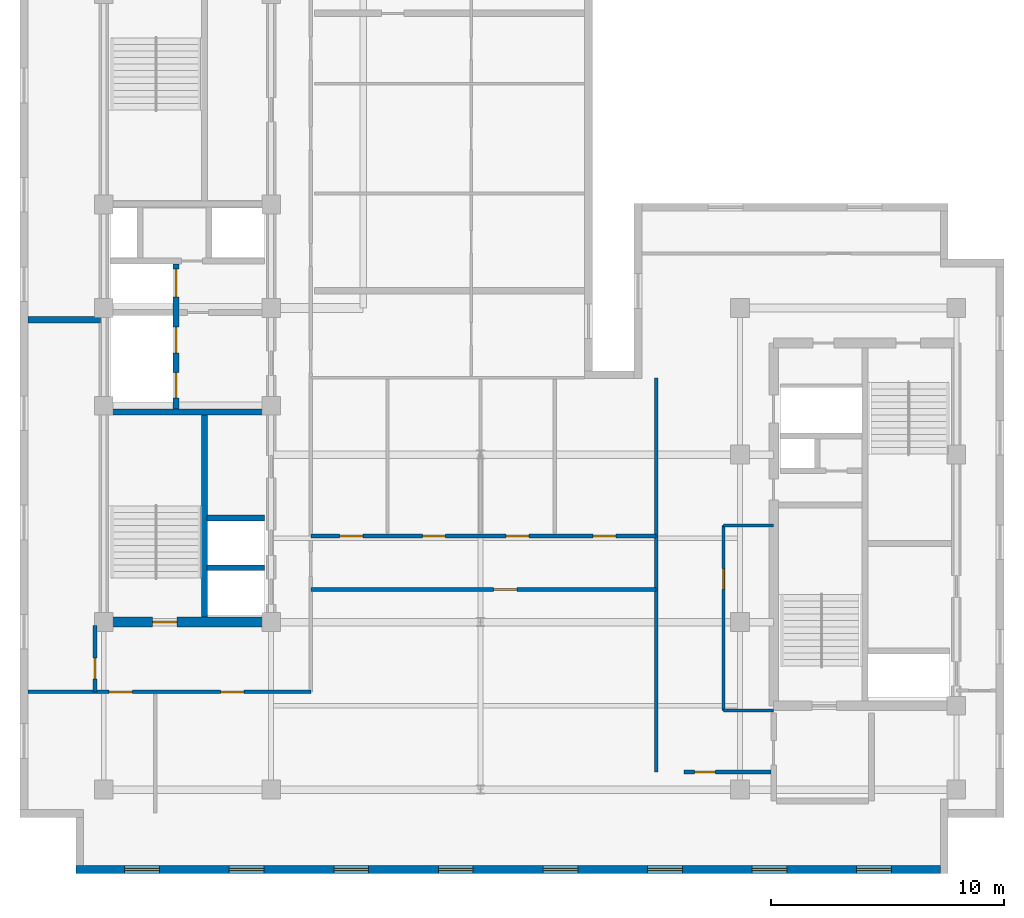
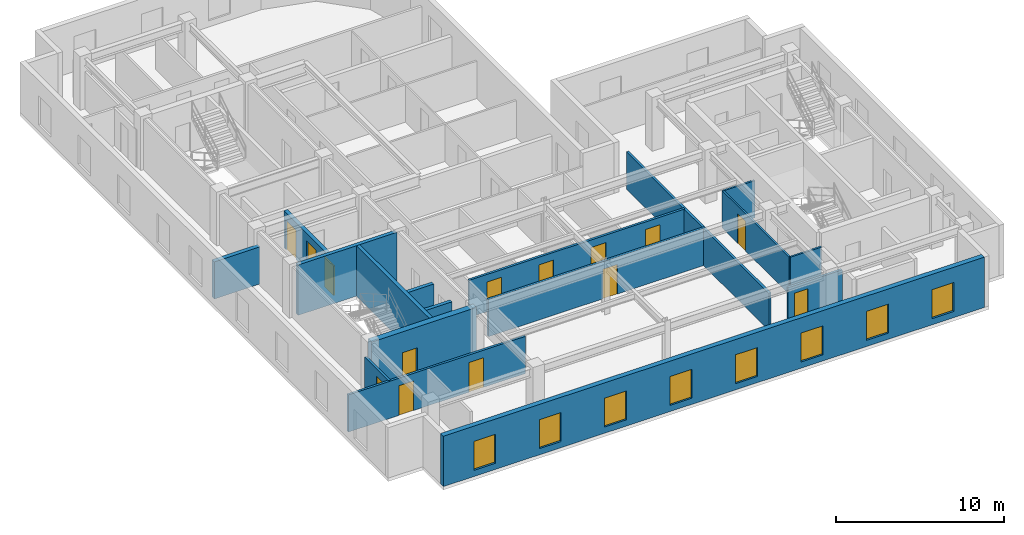
# One storey, part 3 of 10: 17 walls, 14 doors, 8 windows, 22 openings.
"""IFC4 building model written with IfcOpenShell, lengths in metres."""

from ifc_helpers import new_model, entity, si_unit, converted_unit, direction, frame, origin_with_axes, origin_2d_with_axis, place, context, subcontext, project, spatial, polyline, rectangle, outline, extrude, material, layer, layer_set, type_object, element, fill, save


model = new_model("IFC4")

# Units and contexts
model_context = context("Model", 3, precision=1e-05, world=origin_with_axes(), true_north=direction((0.0, 1.0)))
body_context = subcontext(model_context, "Body", "Model", "MODEL_VIEW")
ifc_project = project(units=[si_unit("LENGTHUNIT", "METRE"), si_unit("AREAUNIT", "SQUARE_METRE"), si_unit("VOLUMEUNIT", "CUBIC_METRE"), converted_unit("PLANEANGLEUNIT", "DEGREE", entity("IfcPlaneAngleMeasure", 0.017453292519943295), si_unit("PLANEANGLEUNIT", "RADIAN"), dimensions=[0, 0, 0, 0, 0, 0, 0]), si_unit("MASSUNIT", "GRAM", prefix="KILO"), si_unit("THERMODYNAMICTEMPERATUREUNIT", "KELVIN")], contexts=[model_context])

# Site, building, storey
site_placement = place(None, origin_with_axes())
site = spatial("IfcSite", under=ifc_project, at=site_placement, CompositionType="ELEMENT")
building_placement = place(site_placement, origin_with_axes())
building = spatial("IfcBuilding", under=site, at=building_placement, Name="Varnlund Millrace Tower", CompositionType="ELEMENT")
storey_placement = place(building_placement, frame((0.0, 0.0, 264.6), z_axis=(0.0, 0.0, 1.0), x_axis=(1.0, 0.0, 0.0)))
storey = spatial("IfcBuildingStorey", under=building, at=storey_placement, Name="L65", CompositionType="ELEMENT", Elevation=264.6)

# Wall, opening, door
ifc_material_1 = material(Name="Concrete C60/75", Category="concrete")
ifc_layer_1 = layer(ifc_material_1, 0.42, Name="Concrete C60/75")
ifc_layer_set_1 = layer_set([ifc_layer_1], Name="Concrete C60/75")
wall_type_1 = type_object("IfcWallType", Name="Type-CoreWall-Shear-420-C60", PredefinedType="SHEAR", material=ifc_layer_set_1)
wall_1_placement = place(storey_placement, frame((11.4, 10.8, 0.0), z_axis=(0.0, 0.0, 1.0), x_axis=(1.0, 0.0, 0.0)))
wall_1 = element("IfcWall", 1, at=wall_1_placement, inside=storey, type_object=wall_type_1, Name="Type-CoreWall-Shear-420-C60", PredefinedType="SHEAR", context=body_context, shape_type="SweptSolid", body=[
    extrude(outline(polyline([(0.0, -0.21), (7.2, -0.21), (7.2, 0.21), (0.0, 0.21), (0.0, -0.21)])), origin_with_axes(), (0.0, 0.0, 1.0), 3.66),
])
opening_1_placement = place(wall_1_placement, frame((2.625, 0.0, 0.0), z_axis=(0.0, 0.0, 1.0), x_axis=(1.0, 0.0, 0.0)))
opening_1 = element("IfcOpeningElement", 2, at=opening_1_placement, cuts=wall_1, Name="Opening L65:DR-STA1", PredefinedType="OPENING", context=body_context, shape_type="SweptSolid", body=[
    extrude(rectangle(XDim=1.05, YDim=0.44, at=origin_2d_with_axis()), origin_with_axes(), (0.0, 0.0, 1.0), 2.15),
])
ifc_material_2 = material(Name="Fire-rated hollow steel door", Category="steel")
door_type_1 = type_object("IfcDoorType", Name="Type-FireDoor-Stair-1050X2150", OperationType="NOTDEFINED", PredefinedType="DOOR", material=ifc_material_2)
door_1_placement = place(wall_1_placement, frame((2.625, 0.0, 0.0), z_axis=(0.0, 0.0, 1.0), x_axis=(1.0, 0.0, 0.0)))
door_1 = element("IfcDoor", 3, at=door_1_placement, inside=storey, type_object=door_type_1, Name="Type-FireDoor-Stair-1050X2150", OperationType="SINGLE_SWING_LEFT", OverallHeight=2.15, OverallWidth=1.05, PredefinedType="DOOR", context=body_context, shape_type="SweptSolid", body=[
    extrude(rectangle(XDim=1.05, YDim=0.09, at=origin_2d_with_axis()), origin_with_axes(), (0.0, 0.0, 1.0), 2.15),
])
fill(opening_1, door_1)

# Wall, openings, windows
ifc_material_3 = material(Name="Precast concrete C50/60", Category="concrete")
ifc_layer_2 = layer(ifc_material_3, 0.34, Name="Precast concrete C50/60")
ifc_layer_set_2 = layer_set([ifc_layer_2], Name="Precast concrete C50/60")
wall_type_2 = type_object("IfcWallType", Name="Type-ExtWall-Precast-Upper-340", PredefinedType="SOLIDWALL", material=ifc_layer_set_2)
wall_2_placement = place(storey_placement, frame((47.36, 0.17, 0.0), z_axis=(0.0, 0.0, 1.0), x_axis=(-1.0, 0.0, 0.0)))
wall_2 = element("IfcWall", 4, at=wall_2_placement, inside=storey, type_object=wall_type_2, Name="Type-ExtWall-Precast-Upper-340", PredefinedType="SOLIDWALL", context=body_context, shape_type="SweptSolid", body=[
    extrude(outline(polyline([(0.0, -0.17), (37.16, -0.17), (37.16, 0.17), (0.0, 0.17), (0.0, -0.17)])), origin_with_axes(), (0.0, 0.0, 1.0), 3.66),
])
opening_2_placement = place(wall_2_placement, frame((2.847, 0.0, 0.45), z_axis=(0.0, 0.0, 1.0), x_axis=(1.0, 0.0, 0.0)))
opening_2 = element("IfcOpeningElement", 5, at=opening_2_placement, cuts=wall_2, Name="Opening L65:WN-09", PredefinedType="OPENING", context=body_context, shape_type="SweptSolid", body=[
    extrude(rectangle(XDim=1.5, YDim=0.36, at=origin_2d_with_axis()), origin_with_axes(), (0.0, 0.0, 1.0), 2.1),
])
opening_3_placement = place(wall_2_placement, frame((7.342, 0.0, 0.45), z_axis=(0.0, 0.0, 1.0), x_axis=(1.0, 0.0, 0.0)))
opening_3 = element("IfcOpeningElement", 6, at=opening_3_placement, cuts=wall_2, Name="Opening L65:WN-10", PredefinedType="OPENING", context=body_context, shape_type="SweptSolid", body=[
    extrude(rectangle(XDim=1.5, YDim=0.36, at=origin_2d_with_axis()), origin_with_axes(), (0.0, 0.0, 1.0), 2.1),
])
opening_4_placement = place(wall_2_placement, frame((11.837, 0.0, 0.45), z_axis=(0.0, 0.0, 1.0), x_axis=(1.0, 0.0, 0.0)))
opening_4 = element("IfcOpeningElement", 7, at=opening_4_placement, cuts=wall_2, Name="Opening L65:WN-11", PredefinedType="OPENING", context=body_context, shape_type="SweptSolid", body=[
    extrude(rectangle(XDim=1.5, YDim=0.36, at=origin_2d_with_axis()), origin_with_axes(), (0.0, 0.0, 1.0), 2.1),
])
opening_5_placement = place(wall_2_placement, frame((16.332, 0.0, 0.45), z_axis=(0.0, 0.0, 1.0), x_axis=(1.0, 0.0, 0.0)))
opening_5 = element("IfcOpeningElement", 8, at=opening_5_placement, cuts=wall_2, Name="Opening L65:WN-12", PredefinedType="OPENING", context=body_context, shape_type="SweptSolid", body=[
    extrude(rectangle(XDim=1.5, YDim=0.36, at=origin_2d_with_axis()), origin_with_axes(), (0.0, 0.0, 1.0), 2.1),
])
opening_6_placement = place(wall_2_placement, frame((20.827, 0.0, 0.45), z_axis=(0.0, 0.0, 1.0), x_axis=(1.0, 0.0, 0.0)))
opening_6 = element("IfcOpeningElement", 9, at=opening_6_placement, cuts=wall_2, Name="Opening L65:WN-13", PredefinedType="OPENING", context=body_context, shape_type="SweptSolid", body=[
    extrude(rectangle(XDim=1.5, YDim=0.36, at=origin_2d_with_axis()), origin_with_axes(), (0.0, 0.0, 1.0), 2.1),
])
opening_7_placement = place(wall_2_placement, frame((25.322, 0.0, 0.45), z_axis=(0.0, 0.0, 1.0), x_axis=(1.0, 0.0, 0.0)))
opening_7 = element("IfcOpeningElement", 10, at=opening_7_placement, cuts=wall_2, Name="Opening L65:WN-14", PredefinedType="OPENING", context=body_context, shape_type="SweptSolid", body=[
    extrude(rectangle(XDim=1.5, YDim=0.36, at=origin_2d_with_axis()), origin_with_axes(), (0.0, 0.0, 1.0), 2.1),
])
opening_8_placement = place(wall_2_placement, frame((29.817, 0.0, 0.45), z_axis=(0.0, 0.0, 1.0), x_axis=(1.0, 0.0, 0.0)))
opening_8 = element("IfcOpeningElement", 11, at=opening_8_placement, cuts=wall_2, Name="Opening L65:WN-15", PredefinedType="OPENING", context=body_context, shape_type="SweptSolid", body=[
    extrude(rectangle(XDim=1.5, YDim=0.36, at=origin_2d_with_axis()), origin_with_axes(), (0.0, 0.0, 1.0), 2.1),
])
opening_9_placement = place(wall_2_placement, frame((34.312, 0.0, 0.45), z_axis=(0.0, 0.0, 1.0), x_axis=(1.0, 0.0, 0.0)))
opening_9 = element("IfcOpeningElement", 12, at=opening_9_placement, cuts=wall_2, Name="Opening L65:WN-16", PredefinedType="OPENING", context=body_context, shape_type="SweptSolid", body=[
    extrude(rectangle(XDim=1.5, YDim=0.36, at=origin_2d_with_axis()), origin_with_axes(), (0.0, 0.0, 1.0), 2.1),
])
ifc_material_4 = material(Name="Argon low-e triple glazing in thermally broken bronze frame", Category="glass")
window_type = type_object("IfcWindowType", Name="Type-Window-Punched-1500X2100", PartitioningType="SINGLE_PANEL", PredefinedType="WINDOW", material=ifc_material_4)
window_1_placement = place(wall_2_placement, frame((2.847, 0.0, 0.45), z_axis=(0.0, 0.0, 1.0), x_axis=(1.0, 0.0, 0.0)))
window_1 = element("IfcWindow", 13, at=window_1_placement, inside=storey, type_object=window_type, Name="Type-Window-Punched-1500X2100", OverallHeight=2.1, OverallWidth=1.5, PredefinedType="WINDOW", context=body_context, shape_type="SweptSolid", body=[
    extrude(rectangle(XDim=1.5, YDim=0.09, at=origin_2d_with_axis()), origin_with_axes(), (0.0, 0.0, 1.0), 2.1),
])
fill(opening_2, window_1)
window_2_placement = place(wall_2_placement, frame((7.342, 0.0, 0.45), z_axis=(0.0, 0.0, 1.0), x_axis=(1.0, 0.0, 0.0)))
window_2 = element("IfcWindow", 14, at=window_2_placement, inside=storey, type_object=window_type, Name="Type-Window-Punched-1500X2100", OverallHeight=2.1, OverallWidth=1.5, PredefinedType="WINDOW", context=body_context, shape_type="SweptSolid", body=[
    extrude(rectangle(XDim=1.5, YDim=0.09, at=origin_2d_with_axis()), origin_with_axes(), (0.0, 0.0, 1.0), 2.1),
])
fill(opening_3, window_2)
window_3_placement = place(wall_2_placement, frame((11.837, 0.0, 0.45), z_axis=(0.0, 0.0, 1.0), x_axis=(1.0, 0.0, 0.0)))
window_3 = element("IfcWindow", 15, at=window_3_placement, inside=storey, type_object=window_type, Name="Type-Window-Punched-1500X2100", OverallHeight=2.1, OverallWidth=1.5, PredefinedType="WINDOW", context=body_context, shape_type="SweptSolid", body=[
    extrude(rectangle(XDim=1.5, YDim=0.09, at=origin_2d_with_axis()), origin_with_axes(), (0.0, 0.0, 1.0), 2.1),
])
fill(opening_4, window_3)
window_4_placement = place(wall_2_placement, frame((16.332, 0.0, 0.45), z_axis=(0.0, 0.0, 1.0), x_axis=(1.0, 0.0, 0.0)))
window_4 = element("IfcWindow", 16, at=window_4_placement, inside=storey, type_object=window_type, Name="Type-Window-Punched-1500X2100", OverallHeight=2.1, OverallWidth=1.5, PredefinedType="WINDOW", context=body_context, shape_type="SweptSolid", body=[
    extrude(rectangle(XDim=1.5, YDim=0.09, at=origin_2d_with_axis()), origin_with_axes(), (0.0, 0.0, 1.0), 2.1),
])
fill(opening_5, window_4)
window_5_placement = place(wall_2_placement, frame((20.827, 0.0, 0.45), z_axis=(0.0, 0.0, 1.0), x_axis=(1.0, 0.0, 0.0)))
window_5 = element("IfcWindow", 17, at=window_5_placement, inside=storey, type_object=window_type, Name="Type-Window-Punched-1500X2100", OverallHeight=2.1, OverallWidth=1.5, PredefinedType="WINDOW", context=body_context, shape_type="SweptSolid", body=[
    extrude(rectangle(XDim=1.5, YDim=0.09, at=origin_2d_with_axis()), origin_with_axes(), (0.0, 0.0, 1.0), 2.1),
])
fill(opening_6, window_5)
window_6_placement = place(wall_2_placement, frame((25.322, 0.0, 0.45), z_axis=(0.0, 0.0, 1.0), x_axis=(1.0, 0.0, 0.0)))
window_6 = element("IfcWindow", 18, at=window_6_placement, inside=storey, type_object=window_type, Name="Type-Window-Punched-1500X2100", OverallHeight=2.1, OverallWidth=1.5, PredefinedType="WINDOW", context=body_context, shape_type="SweptSolid", body=[
    extrude(rectangle(XDim=1.5, YDim=0.09, at=origin_2d_with_axis()), origin_with_axes(), (0.0, 0.0, 1.0), 2.1),
])
fill(opening_7, window_6)
window_7_placement = place(wall_2_placement, frame((29.817, 0.0, 0.45), z_axis=(0.0, 0.0, 1.0), x_axis=(1.0, 0.0, 0.0)))
window_7 = element("IfcWindow", 19, at=window_7_placement, inside=storey, type_object=window_type, Name="Type-Window-Punched-1500X2100", OverallHeight=2.1, OverallWidth=1.5, PredefinedType="WINDOW", context=body_context, shape_type="SweptSolid", body=[
    extrude(rectangle(XDim=1.5, YDim=0.09, at=origin_2d_with_axis()), origin_with_axes(), (0.0, 0.0, 1.0), 2.1),
])
fill(opening_8, window_7)
window_8_placement = place(wall_2_placement, frame((34.312, 0.0, 0.45), z_axis=(0.0, 0.0, 1.0), x_axis=(1.0, 0.0, 0.0)))
window_8 = element("IfcWindow", 20, at=window_8_placement, inside=storey, type_object=window_type, Name="Type-Window-Punched-1500X2100", OverallHeight=2.1, OverallWidth=1.5, PredefinedType="WINDOW", context=body_context, shape_type="SweptSolid", body=[
    extrude(rectangle(XDim=1.5, YDim=0.09, at=origin_2d_with_axis()), origin_with_axes(), (0.0, 0.0, 1.0), 2.1),
])
fill(opening_9, window_8)

# Wall
ifc_material_5 = material(Name="Double-stud STC-60 conference acoustic partition", Category="gypsum")
ifc_layer_3 = layer(ifc_material_5, 0.28, Name="Double-stud STC-60 conference acoustic partition")
ifc_layer_set_3 = layer_set([ifc_layer_3], Name="Double-stud STC-60 conference acoustic partition")
wall_type_3 = type_object("IfcWallType", Name="Type-Partition-Acoustic-280", PredefinedType="PARTITIONING", material=ifc_layer_set_3)
wall_3_placement = place(storey_placement, frame((8.135, 23.8, 0.0), z_axis=(0.0, 0.0, 1.0), x_axis=(1.0, 0.0, 0.0)))
element("IfcWall", 21, at=wall_3_placement, inside=storey, type_object=wall_type_3, Name="Type-Partition-Acoustic-280", PredefinedType="PARTITIONING", context=body_context, shape_type="SweptSolid", body=[
    extrude(outline(polyline([(0.0, -0.14), (3.135, -0.14), (3.135, 0.14), (0.0, 0.14), (0.0, -0.14)])), origin_with_axes(), (0.0, 0.0, 1.0), 2.7),
])

# Wall, openings, doors
ifc_material_6 = material(Name="Fire-rated gypsum board on cold-formed steel framing", Category="steel")
ifc_layer_4 = layer(ifc_material_6, 0.16, Name="Fire-rated gypsum board on cold-formed steel framing")
ifc_layer_set_4 = layer_set([ifc_layer_4], Name="Fire-rated gypsum board on cold-formed steel framing")
wall_type_4 = type_object("IfcWallType", Name="Type-Partition-Corridor-160", PredefinedType="PARTITIONING", material=ifc_layer_set_4)
wall_4_placement = place(storey_placement, frame((8.135, 7.8, 0.0), z_axis=(0.0, 0.0, 1.0), x_axis=(1.0, 0.0, 0.0)))
wall_4 = element("IfcWall", 22, at=wall_4_placement, inside=storey, type_object=wall_type_4, Name="Type-Partition-Corridor-160", PredefinedType="PARTITIONING", context=body_context, shape_type="SweptSolid", body=[
    extrude(outline(polyline([(0.0, -0.08), (12.165, -0.08), (12.165, 0.08), (0.0, 0.08), (0.0, -0.08)])), origin_with_axes(), (0.0, 0.0, 1.0), 2.7),
])
opening_10_placement = place(wall_4_placement, frame((3.994, 0.0, 0.0), z_axis=(0.0, 0.0, 1.0), x_axis=(1.0, 0.0, 0.0)))
opening_10 = element("IfcOpeningElement", 23, at=opening_10_placement, cuts=wall_4, Name="Opening L65:DR-WAS-01", PredefinedType="OPENING", context=body_context, shape_type="SweptSolid", body=[
    extrude(rectangle(XDim=1.0, YDim=0.18, at=origin_2d_with_axis()), origin_with_axes(), (0.0, 0.0, 1.0), 2.15),
])
opening_11_placement = place(wall_4_placement, frame((8.794, 0.0, 0.0), z_axis=(0.0, 0.0, 1.0), x_axis=(1.0, 0.0, 0.0)))
opening_11 = element("IfcOpeningElement", 24, at=opening_11_placement, cuts=wall_4, Name="Opening L65:DR-WAS-02", PredefinedType="OPENING", context=body_context, shape_type="SweptSolid", body=[
    extrude(rectangle(XDim=1.0, YDim=0.18, at=origin_2d_with_axis()), origin_with_axes(), (0.0, 0.0, 1.0), 2.15),
])
ifc_material_7 = material(Name="Solid-core white oak and bronze frame door")
door_type_2 = type_object("IfcDoorType", Name="Type-IntDoor-Office-1000X2150", OperationType="NOTDEFINED", PredefinedType="DOOR", material=ifc_material_7)
door_2_placement = place(wall_4_placement, frame((3.994, 0.0, 0.0), z_axis=(0.0, 0.0, 1.0), x_axis=(1.0, 0.0, 0.0)))
door_2 = element("IfcDoor", 25, at=door_2_placement, inside=storey, type_object=door_type_2, Name="Type-IntDoor-Office-1000X2150", OperationType="SINGLE_SWING_LEFT", OverallHeight=2.15, OverallWidth=1.0, PredefinedType="DOOR", context=body_context, shape_type="SweptSolid", body=[
    extrude(rectangle(XDim=1.0, YDim=0.09, at=origin_2d_with_axis()), origin_with_axes(), (0.0, 0.0, 1.0), 2.15),
])
fill(opening_10, door_2)
door_3_placement = place(wall_4_placement, frame((8.794, 0.0, 0.0), z_axis=(0.0, 0.0, 1.0), x_axis=(1.0, 0.0, 0.0)))
door_3 = element("IfcDoor", 26, at=door_3_placement, inside=storey, type_object=door_type_2, Name="Type-IntDoor-Office-1000X2150", OperationType="SINGLE_SWING_RIGHT", OverallHeight=2.15, OverallWidth=1.0, PredefinedType="DOOR", context=body_context, shape_type="SweptSolid", body=[
    extrude(rectangle(XDim=1.0, YDim=0.09, at=origin_2d_with_axis()), origin_with_axes(), (0.0, 0.0, 1.0), 2.15),
])
fill(opening_11, door_3)

# Wall, opening, door
wall_5_placement = place(storey_placement, frame((11.02, 7.8, 0.0), z_axis=(0.0, 0.0, 1.0), x_axis=(0.0, 1.0, 0.0)))
wall_5 = element("IfcWall", 27, at=wall_5_placement, inside=storey, type_object=wall_type_4, Name="Type-Partition-Corridor-160", PredefinedType="PARTITIONING", context=body_context, shape_type="SweptSolid", body=[
    extrude(outline(polyline([(0.0, -0.08), (2.85, -0.08), (2.85, 0.08), (0.0, 0.08), (0.0, -0.08)])), origin_with_axes(), (0.0, 0.0, 1.0), 2.7),
])
opening_12_placement = place(wall_5_placement, frame((1.0, 0.0, 0.0), z_axis=(0.0, 0.0, 1.0), x_axis=(1.0, 0.0, 0.0)))
opening_12 = element("IfcOpeningElement", 28, at=opening_12_placement, cuts=wall_5, Name="Opening L65:DR-WU-S1", PredefinedType="OPENING", context=body_context, shape_type="SweptSolid", body=[
    extrude(rectangle(XDim=0.9, YDim=0.18, at=origin_2d_with_axis()), origin_with_axes(), (0.0, 0.0, 1.0), 2.15),
])
ifc_material_8 = material(Name="Painted steel riser and closet door", Category="steel")
door_type_3 = type_object("IfcDoorType", Name="Type-IntDoor-Closet-900X2150", OperationType="NOTDEFINED", PredefinedType="DOOR", material=ifc_material_8)
door_4_placement = place(wall_5_placement, frame((1.0, 0.0, 0.0), z_axis=(0.0, 0.0, 1.0), x_axis=(1.0, 0.0, 0.0)))
door_4 = element("IfcDoor", 29, at=door_4_placement, inside=storey, type_object=door_type_3, Name="Type-IntDoor-Closet-900X2150", OperationType="SINGLE_SWING_LEFT", OverallHeight=2.15, OverallWidth=0.9, PredefinedType="DOOR", context=body_context, shape_type="SweptSolid", body=[
    extrude(rectangle(XDim=0.9, YDim=0.09, at=origin_2d_with_axis()), origin_with_axes(), (0.0, 0.0, 1.0), 2.15),
])
fill(opening_12, door_4)

wall_6_placement = place(storey_placement, frame((20.3, 12.2, 0.0), z_axis=(0.0, 0.0, 1.0), x_axis=(1.0, 0.0, 0.0)))
wall_6 = element("IfcWall", 30, at=wall_6_placement, inside=storey, type_object=wall_type_4, Name="Type-Partition-Corridor-160", PredefinedType="PARTITIONING", context=body_context, shape_type="SweptSolid", body=[
    extrude(outline(polyline([(0.0, -0.08), (14.85, -0.08), (14.85, 0.08), (0.0, 0.08), (0.0, -0.08)])), origin_with_axes(), (0.0, 0.0, 1.0), 2.7),
])
opening_13_placement = place(wall_6_placement, frame((8.355, 0.0, 0.0), z_axis=(0.0, 0.0, 1.0), x_axis=(1.0, 0.0, 0.0)))
opening_13 = element("IfcOpeningElement", 31, at=opening_13_placement, cuts=wall_6, Name="Opening L65:DR-KNS-01", PredefinedType="OPENING", context=body_context, shape_type="SweptSolid", body=[
    extrude(rectangle(XDim=1.0, YDim=0.18, at=origin_2d_with_axis()), origin_with_axes(), (0.0, 0.0, 1.0), 2.15),
])
door_5_placement = place(wall_6_placement, frame((8.355, 0.0, 0.0), z_axis=(0.0, 0.0, 1.0), x_axis=(1.0, 0.0, 0.0)))
door_5 = element("IfcDoor", 32, at=door_5_placement, inside=storey, type_object=door_type_2, Name="Type-IntDoor-Office-1000X2150", OperationType="SINGLE_SWING_LEFT", OverallHeight=2.15, OverallWidth=1.0, PredefinedType="DOOR", context=body_context, shape_type="SweptSolid", body=[
    extrude(rectangle(XDim=1.0, YDim=0.09, at=origin_2d_with_axis()), origin_with_axes(), (0.0, 0.0, 1.0), 2.15),
])
fill(opening_13, door_5)

# Wall, openings, doors
wall_7_placement = place(storey_placement, frame((20.3, 14.5, 0.0), z_axis=(0.0, 0.0, 1.0), x_axis=(1.0, 0.0, 0.0)))
wall_7 = element("IfcWall", 33, at=wall_7_placement, inside=storey, type_object=wall_type_4, Name="Type-Partition-Corridor-160", PredefinedType="PARTITIONING", context=body_context, shape_type="SweptSolid", body=[
    extrude(outline(polyline([(0.0, -0.08), (14.85, -0.08), (14.85, 0.08), (0.0, 0.08), (0.0, -0.08)])), origin_with_axes(), (0.0, 0.0, 1.0), 2.7),
])
opening_14_placement = place(wall_7_placement, frame((1.739, 0.0, 0.0), z_axis=(0.0, 0.0, 1.0), x_axis=(1.0, 0.0, 0.0)))
opening_14 = element("IfcOpeningElement", 34, at=opening_14_placement, cuts=wall_7, Name="Opening L65:DR-KN-01", PredefinedType="OPENING", context=body_context, shape_type="SweptSolid", body=[
    extrude(rectangle(XDim=1.0, YDim=0.18, at=origin_2d_with_axis()), origin_with_axes(), (0.0, 0.0, 1.0), 2.15),
])
opening_15_placement = place(wall_7_placement, frame((5.299, 0.0, 0.0), z_axis=(0.0, 0.0, 1.0), x_axis=(1.0, 0.0, 0.0)))
opening_15 = element("IfcOpeningElement", 35, at=opening_15_placement, cuts=wall_7, Name="Opening L65:DR-KN-02", PredefinedType="OPENING", context=body_context, shape_type="SweptSolid", body=[
    extrude(rectangle(XDim=1.0, YDim=0.18, at=origin_2d_with_axis()), origin_with_axes(), (0.0, 0.0, 1.0), 2.15),
])
opening_16_placement = place(wall_7_placement, frame((8.889, 0.0, 0.0), z_axis=(0.0, 0.0, 1.0), x_axis=(1.0, 0.0, 0.0)))
opening_16 = element("IfcOpeningElement", 36, at=opening_16_placement, cuts=wall_7, Name="Opening L65:DR-KN-03", PredefinedType="OPENING", context=body_context, shape_type="SweptSolid", body=[
    extrude(rectangle(XDim=1.0, YDim=0.18, at=origin_2d_with_axis()), origin_with_axes(), (0.0, 0.0, 1.0), 2.15),
])
opening_17_placement = place(wall_7_placement, frame((12.624, 0.0, 0.0), z_axis=(0.0, 0.0, 1.0), x_axis=(1.0, 0.0, 0.0)))
opening_17 = element("IfcOpeningElement", 37, at=opening_17_placement, cuts=wall_7, Name="Opening L65:DR-KN-04", PredefinedType="OPENING", context=body_context, shape_type="SweptSolid", body=[
    extrude(rectangle(XDim=1.0, YDim=0.18, at=origin_2d_with_axis()), origin_with_axes(), (0.0, 0.0, 1.0), 2.15),
])
door_6_placement = place(wall_7_placement, frame((1.739, 0.0, 0.0), z_axis=(0.0, 0.0, 1.0), x_axis=(1.0, 0.0, 0.0)))
door_6 = element("IfcDoor", 38, at=door_6_placement, inside=storey, type_object=door_type_2, Name="Type-IntDoor-Office-1000X2150", OperationType="SINGLE_SWING_LEFT", OverallHeight=2.15, OverallWidth=1.0, PredefinedType="DOOR", context=body_context, shape_type="SweptSolid", body=[
    extrude(rectangle(XDim=1.0, YDim=0.09, at=origin_2d_with_axis()), origin_with_axes(), (0.0, 0.0, 1.0), 2.15),
])
fill(opening_14, door_6)
door_7_placement = place(wall_7_placement, frame((5.299, 0.0, 0.0), z_axis=(0.0, 0.0, 1.0), x_axis=(1.0, 0.0, 0.0)))
door_7 = element("IfcDoor", 39, at=door_7_placement, inside=storey, type_object=door_type_2, Name="Type-IntDoor-Office-1000X2150", OperationType="SINGLE_SWING_RIGHT", OverallHeight=2.15, OverallWidth=1.0, PredefinedType="DOOR", context=body_context, shape_type="SweptSolid", body=[
    extrude(rectangle(XDim=1.0, YDim=0.09, at=origin_2d_with_axis()), origin_with_axes(), (0.0, 0.0, 1.0), 2.15),
])
fill(opening_15, door_7)
door_8_placement = place(wall_7_placement, frame((8.889, 0.0, 0.0), z_axis=(0.0, 0.0, 1.0), x_axis=(1.0, 0.0, 0.0)))
door_8 = element("IfcDoor", 40, at=door_8_placement, inside=storey, type_object=door_type_2, Name="Type-IntDoor-Office-1000X2150", OperationType="SINGLE_SWING_LEFT", OverallHeight=2.15, OverallWidth=1.0, PredefinedType="DOOR", context=body_context, shape_type="SweptSolid", body=[
    extrude(rectangle(XDim=1.0, YDim=0.09, at=origin_2d_with_axis()), origin_with_axes(), (0.0, 0.0, 1.0), 2.15),
])
fill(opening_16, door_8)
door_9_placement = place(wall_7_placement, frame((12.624, 0.0, 0.0), z_axis=(0.0, 0.0, 1.0), x_axis=(1.0, 0.0, 0.0)))
door_9 = element("IfcDoor", 41, at=door_9_placement, inside=storey, type_object=door_type_2, Name="Type-IntDoor-Office-1000X2150", OperationType="SINGLE_SWING_RIGHT", OverallHeight=2.15, OverallWidth=1.0, PredefinedType="DOOR", context=body_context, shape_type="SweptSolid", body=[
    extrude(rectangle(XDim=1.0, YDim=0.09, at=origin_2d_with_axis()), origin_with_axes(), (0.0, 0.0, 1.0), 2.15),
])
fill(opening_17, door_9)

# Wall
wall_8_placement = place(storey_placement, frame((35.15, 4.35, 0.0), z_axis=(0.0, 0.0, 1.0), x_axis=(0.0, 1.0, 0.0)))
element("IfcWall", 42, at=wall_8_placement, inside=storey, type_object=wall_type_4, Name="Type-Partition-Corridor-160", PredefinedType="PARTITIONING", context=body_context, shape_type="SweptSolid", body=[
    extrude(outline(polyline([(0.0, -0.08), (16.95, -0.08), (16.95, 0.08), (0.0, 0.08), (0.0, -0.08)])), origin_with_axes(), (0.0, 0.0, 1.0), 2.7),
])

# Wall, opening, door
wall_9_placement = place(storey_placement, frame((36.35, 4.35, 0.0), z_axis=(0.0, 0.0, 1.0), x_axis=(1.0, 0.0, 0.0)))
wall_9 = element("IfcWall", 43, at=wall_9_placement, inside=storey, type_object=wall_type_4, Name="Type-Partition-Corridor-160", PredefinedType="PARTITIONING", context=body_context, shape_type="SweptSolid", body=[
    extrude(outline(polyline([(0.0, -0.08), (3.725, -0.08), (3.725, 0.08), (0.0, 0.08), (0.0, -0.08)])), origin_with_axes(), (0.0, 0.0, 1.0), 2.7),
])
opening_18_placement = place(wall_9_placement, frame((0.9, 0.0, 0.0), z_axis=(0.0, 0.0, 1.0), x_axis=(1.0, 0.0, 0.0)))
opening_18 = element("IfcOpeningElement", 44, at=opening_18_placement, cuts=wall_9, Name="Opening L65:DR-Z4-KNS", PredefinedType="OPENING", context=body_context, shape_type="SweptSolid", body=[
    extrude(rectangle(XDim=0.9, YDim=0.18, at=origin_2d_with_axis()), origin_with_axes(), (0.0, 0.0, 1.0), 2.15),
])
door_10_placement = place(wall_9_placement, frame((0.9, 0.0, 0.0), z_axis=(0.0, 0.0, 1.0), x_axis=(1.0, 0.0, 0.0)))
door_10 = element("IfcDoor", 45, at=door_10_placement, inside=storey, type_object=door_type_3, Name="Type-IntDoor-Closet-900X2150", OperationType="SINGLE_SWING_LEFT", OverallHeight=2.15, OverallWidth=0.9, PredefinedType="DOOR", context=body_context, shape_type="SweptSolid", body=[
    extrude(rectangle(XDim=0.9, YDim=0.09, at=origin_2d_with_axis()), origin_with_axes(), (0.0, 0.0, 1.0), 2.15),
])
fill(opening_18, door_10)

# Walls
ifc_material_9 = material(Name="Gypsum board tenant partition", Category="gypsum")
ifc_layer_5 = layer(ifc_material_9, 0.125, Name="Gypsum board tenant partition")
ifc_layer_set_5 = layer_set([ifc_layer_5], Name="Gypsum board tenant partition")
wall_type_5 = type_object("IfcWallType", Name="Type-Partition-Tenant-125", PredefinedType="PARTITIONING", material=ifc_layer_set_5)
for number, where, z_axis, x_axis, name in (
    (46, (38.05, 7.0, 0.0), (0.0, 0.0, 1.0), (1.0, 0.0, 0.0), "Type-Partition-Tenant-125"),
    (47, (38.05, 14.95, 0.0), (0.0, 0.0, 1.0), (1.0, 0.0, 0.0), "Type-Partition-Tenant-125"),
):
    element("IfcWall", number, at=place(storey_placement, frame(where, z_axis=z_axis, x_axis=x_axis)), inside=storey, type_object=wall_type_5, Name=name, PredefinedType="PARTITIONING", context=body_context, shape_type="SweptSolid", body=[
        extrude(outline(polyline([(0.0, -0.0625), (2.15, -0.0625), (2.15, 0.0625), (0.0, 0.0625), (0.0, -0.0625)])), origin_with_axes(), (0.0, 0.0, 1.0), 2.7),
    ])

# Wall, opening, door
wall_10_placement = place(storey_placement, frame((38.05, 7.0, 0.0), z_axis=(0.0, 0.0, 1.0), x_axis=(0.0, 1.0, 0.0)))
wall_10 = element("IfcWall", 48, at=wall_10_placement, inside=storey, type_object=wall_type_5, Name="Type-Partition-Tenant-125", PredefinedType="PARTITIONING", context=body_context, shape_type="SweptSolid", body=[
    extrude(outline(polyline([(0.0, -0.0625), (7.95, -0.0625), (7.95, 0.0625), (0.0, 0.0625), (0.0, -0.0625)])), origin_with_axes(), (0.0, 0.0, 1.0), 2.7),
])
opening_19_placement = place(wall_10_placement, frame((5.65, 0.0, 0.0), z_axis=(0.0, 0.0, 1.0), x_axis=(1.0, 0.0, 0.0)))
opening_19 = element("IfcOpeningElement", 49, at=opening_19_placement, cuts=wall_10, Name="Opening L65:DR-Z4-KMID", PredefinedType="OPENING", context=body_context, shape_type="SweptSolid", body=[
    extrude(rectangle(XDim=0.9, YDim=0.145, at=origin_2d_with_axis()), origin_with_axes(), (0.0, 0.0, 1.0), 2.15),
])
door_11_placement = place(wall_10_placement, frame((5.65, 0.0, 0.0), z_axis=(0.0, 0.0, 1.0), x_axis=(1.0, 0.0, 0.0)))
door_11 = element("IfcDoor", 50, at=door_11_placement, inside=storey, type_object=door_type_3, Name="Type-IntDoor-Closet-900X2150", OperationType="SINGLE_SWING_LEFT", OverallHeight=2.15, OverallWidth=0.9, PredefinedType="DOOR", context=body_context, shape_type="SweptSolid", body=[
    extrude(rectangle(XDim=0.9, YDim=0.075, at=origin_2d_with_axis()), origin_with_axes(), (0.0, 0.0, 1.0), 2.15),
])
fill(opening_19, door_11)

# Wall, openings, doors
ifc_layer_6 = layer(ifc_material_1, 0.25, Name="Concrete C60/75")
ifc_layer_set_6 = layer_set([ifc_layer_6], Name="Concrete C60/75")
wall_type_6 = type_object("IfcWallType", Name="Type-ShaftWall-Fire-250", PredefinedType="SOLIDWALL", material=ifc_layer_set_6)
wall_11_placement = place(storey_placement, frame((14.5, 19.95, 0.0), z_axis=(0.0, 0.0, 1.0), x_axis=(0.0, 1.0, 0.0)))
wall_11 = element("IfcWall", 51, at=wall_11_placement, inside=storey, type_object=wall_type_6, Name="Type-ShaftWall-Fire-250", PredefinedType="SOLIDWALL", context=body_context, shape_type="SweptSolid", body=[
    extrude(outline(polyline([(0.0, -0.125), (6.25, -0.125), (6.25, 0.125), (0.0, 0.125), (0.0, -0.125)])), origin_with_axes(), (0.0, 0.0, 1.0), 2.7),
])
opening_20_placement = place(wall_11_placement, frame((1.025, 0.0, 0.0), z_axis=(0.0, 0.0, 1.0), x_axis=(1.0, 0.0, 0.0)))
opening_20 = element("IfcOpeningElement", 52, at=opening_20_placement, cuts=wall_11, Name="Opening L65:LD-FSAE1", PredefinedType="OPENING", context=body_context, shape_type="SweptSolid", body=[
    extrude(rectangle(XDim=1.1, YDim=0.27, at=origin_2d_with_axis()), origin_with_axes(), (0.0, 0.0, 1.0), 2.15),
])
opening_21_placement = place(wall_11_placement, frame((2.975, 0.0, 0.0), z_axis=(0.0, 0.0, 1.0), x_axis=(1.0, 0.0, 0.0)))
opening_21 = element("IfcOpeningElement", 53, at=opening_21_placement, cuts=wall_11, Name="Opening L65:LD-FSAE2", PredefinedType="OPENING", context=body_context, shape_type="SweptSolid", body=[
    extrude(rectangle(XDim=1.1, YDim=0.27, at=origin_2d_with_axis()), origin_with_axes(), (0.0, 0.0, 1.0), 2.15),
])
opening_22_placement = place(wall_11_placement, frame((5.425, 0.0, 0.0), z_axis=(0.0, 0.0, 1.0), x_axis=(1.0, 0.0, 0.0)))
opening_22 = element("IfcOpeningElement", 54, at=opening_22_placement, cuts=wall_11, Name="Opening L65:LD-SRV1", PredefinedType="OPENING", context=body_context, shape_type="SweptSolid", body=[
    extrude(rectangle(XDim=1.2, YDim=0.27, at=origin_2d_with_axis()), origin_with_axes(), (0.0, 0.0, 1.0), 2.15),
])
ifc_material_10 = material(Name="Stainless and architectural bronze sliding landing door")
door_type_4 = type_object("IfcDoorType", Name="Type-LiftLandingDoor-1100X2150", OperationType="NOTDEFINED", PredefinedType="DOOR", material=ifc_material_10)
door_12_placement = place(wall_11_placement, frame((1.025, 0.0, 0.0), z_axis=(0.0, 0.0, 1.0), x_axis=(1.0, 0.0, 0.0)))
door_12 = element("IfcDoor", 55, at=door_12_placement, inside=storey, type_object=door_type_4, Name="Type-LiftLandingDoor-1100X2150", OperationType="SLIDING_TO_LEFT", OverallHeight=2.15, OverallWidth=1.1, PredefinedType="DOOR", context=body_context, shape_type="SweptSolid", body=[
    extrude(rectangle(XDim=1.1, YDim=0.09, at=origin_2d_with_axis()), origin_with_axes(), (0.0, 0.0, 1.0), 2.15),
])
fill(opening_20, door_12)
door_13_placement = place(wall_11_placement, frame((2.975, 0.0, 0.0), z_axis=(0.0, 0.0, 1.0), x_axis=(1.0, 0.0, 0.0)))
door_13 = element("IfcDoor", 56, at=door_13_placement, inside=storey, type_object=door_type_4, Name="Type-LiftLandingDoor-1100X2150", OperationType="SLIDING_TO_RIGHT", OverallHeight=2.15, OverallWidth=1.1, PredefinedType="DOOR", context=body_context, shape_type="SweptSolid", body=[
    extrude(rectangle(XDim=1.1, YDim=0.09, at=origin_2d_with_axis()), origin_with_axes(), (0.0, 0.0, 1.0), 2.15),
])
fill(opening_21, door_13)
ifc_material_11 = material(Name="Heavy-duty freight sliding landing door")
door_type_5 = type_object("IfcDoorType", Name="Type-LiftLandingDoor-Service-1200X2150", OperationType="NOTDEFINED", PredefinedType="DOOR", material=ifc_material_11)
door_14_placement = place(wall_11_placement, frame((5.425, 0.0, 0.0), z_axis=(0.0, 0.0, 1.0), x_axis=(1.0, 0.0, 0.0)))
door_14 = element("IfcDoor", 57, at=door_14_placement, inside=storey, type_object=door_type_5, Name="Type-LiftLandingDoor-Service-1200X2150", OperationType="DOUBLE_DOOR_SLIDING", OverallHeight=2.15, OverallWidth=1.2, PredefinedType="DOOR", context=body_context, shape_type="SweptSolid", body=[
    extrude(rectangle(XDim=1.2, YDim=0.09, at=origin_2d_with_axis()), origin_with_axes(), (0.0, 0.0, 1.0), 2.15),
])
fill(opening_22, door_14)

# Walls
for number, where, z_axis, x_axis, name in (
    (58, (15.84, 13.13, 0.0), (0.0, 0.0, 1.0), (1.0, 0.0, 0.0), "Type-ShaftWall-Fire-250"),
    (59, (15.84, 15.27, 0.0), (0.0, 0.0, 1.0), (1.0, 0.0, 0.0), "Type-ShaftWall-Fire-250"),
):
    element("IfcWall", number, at=place(storey_placement, frame(where, z_axis=z_axis, x_axis=x_axis)), inside=storey, type_object=wall_type_6, Name=name, PredefinedType="SOLIDWALL", context=body_context, shape_type="SweptSolid", body=[
        extrude(outline(polyline([(0.0, -0.125), (2.46, -0.125), (2.46, 0.125), (0.0, 0.125), (0.0, -0.125)])), origin_with_axes(), (0.0, 0.0, 1.0), 2.7),
    ])
wall_type_7 = type_object("IfcWallType", Name="Type-StairWall-Shear-250", PredefinedType="SHEAR", material=ifc_layer_set_6)
wall_12_placement = place(storey_placement, frame((15.725, 11.01, 0.0), z_axis=(0.0, 0.0, 1.0), x_axis=(0.0, 1.0, 0.0)))
element("IfcWall", 60, at=wall_12_placement, inside=storey, type_object=wall_type_7, Name="Type-StairWall-Shear-250", PredefinedType="SHEAR", context=body_context, shape_type="SweptSolid", body=[
    extrude(outline(polyline([(0.0, -0.125), (8.69, -0.125), (8.69, 0.125), (0.0, 0.125), (0.0, -0.125)])), origin_with_axes(), (0.0, 0.0, 1.0), 3.66),
])
wall_13_placement = place(storey_placement, frame((11.61, 19.825, 0.0), z_axis=(0.0, 0.0, 1.0), x_axis=(1.0, 0.0, 0.0)))
element("IfcWall", 61, at=wall_13_placement, inside=storey, type_object=wall_type_7, Name="Type-StairWall-Shear-250", PredefinedType="SHEAR", context=body_context, shape_type="SweptSolid", body=[
    extrude(outline(polyline([(0.0, -0.125), (6.78, -0.125), (6.78, 0.125), (0.0, 0.125), (0.0, -0.125)])), origin_with_axes(), (0.0, 0.0, 1.0), 3.66),
])

save(model, "model.ifc")
